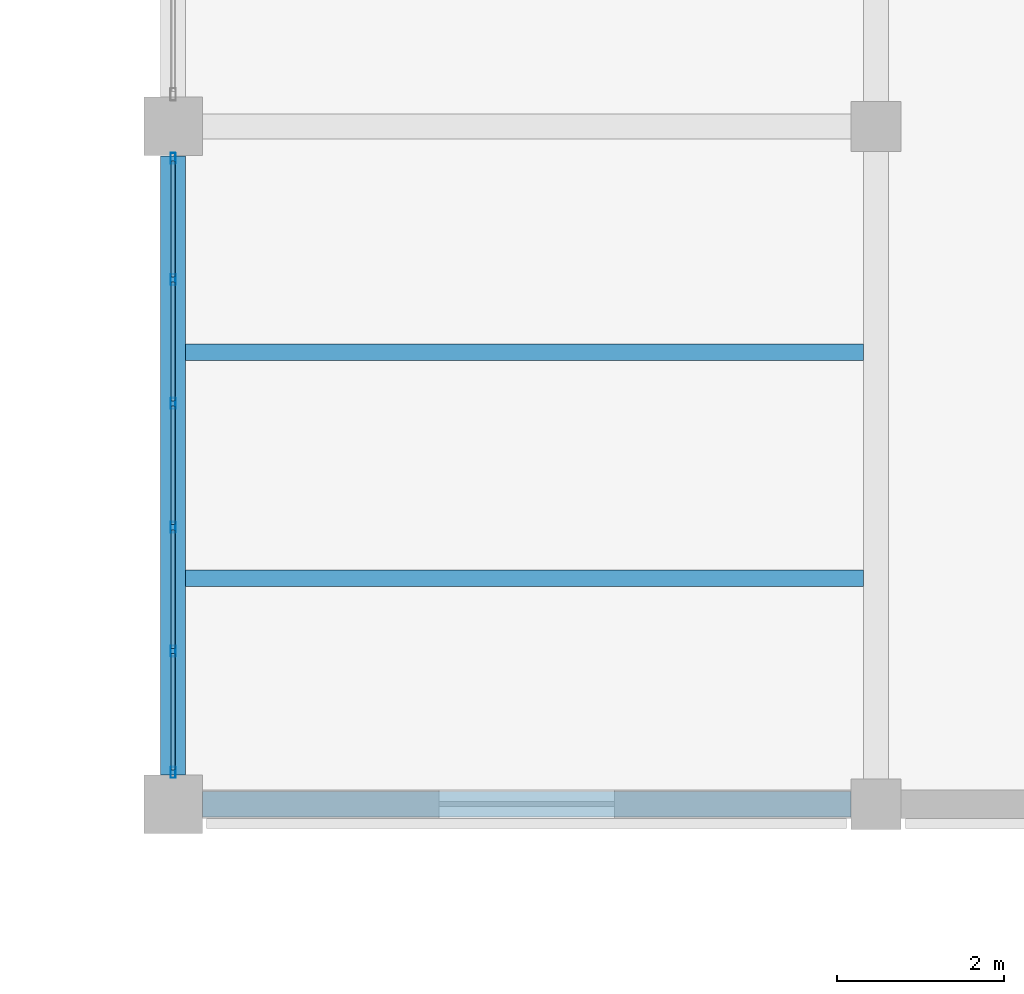
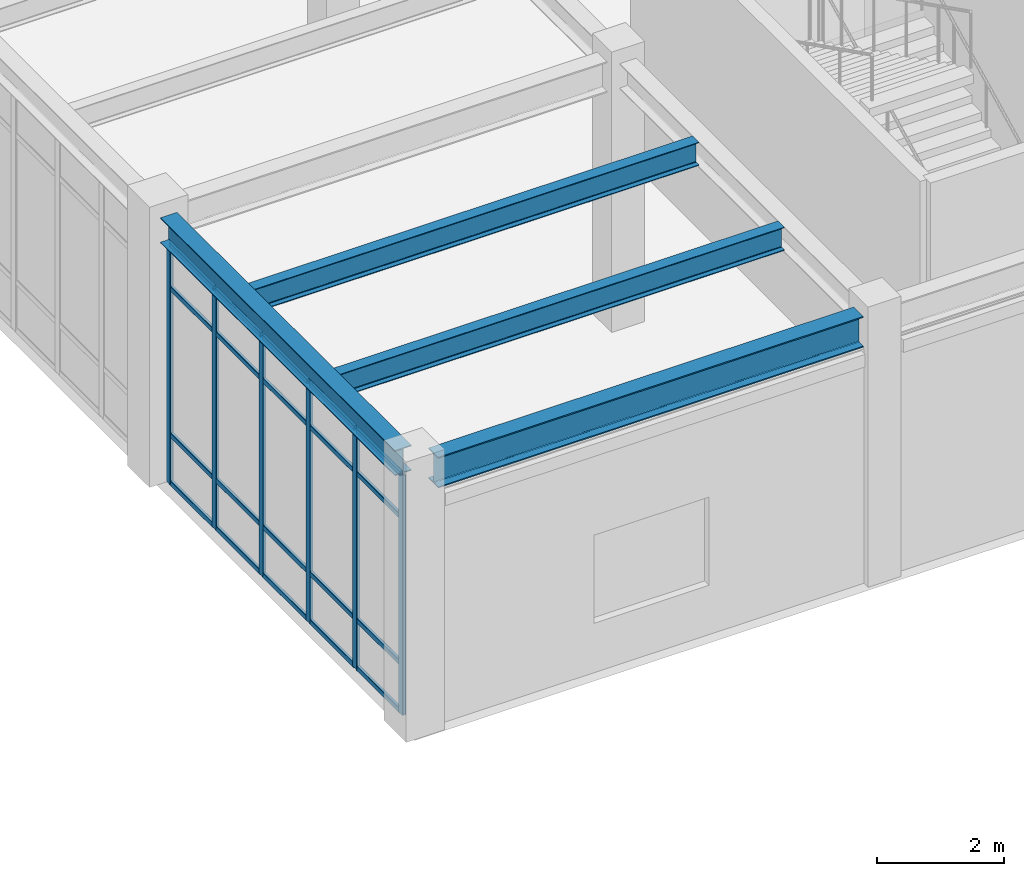
# One storey, part 32 of 80: 26 members, 4 beams, 1 element without a shape of its own.
"""IFC4 building model written with IfcOpenShell, lengths in metres."""

from ifc_helpers import new_model, si_unit, direction, frame, origin, origin_2d, place, context, subcontext, project, spatial, hollow_rectangle, i_section, extrude, material, material_profile, profile_set, type_object, element, aggregate, save


model = new_model("IFC4")

# Units and contexts
model_context = context("Model", 3, precision=1e-05, world=origin(), true_north=direction((0.0, 1.0)))
body_context = subcontext(model_context, "Body", "Model", "MODEL_VIEW")
ifc_project = project(units=[si_unit("LENGTHUNIT", "METRE"), si_unit("AREAUNIT", "SQUARE_METRE"), si_unit("VOLUMEUNIT", "CUBIC_METRE"), si_unit("PLANEANGLEUNIT", "RADIAN"), si_unit("MASSUNIT", "GRAM", prefix="KILO")], contexts=[model_context])

# Site, building, storey
site_placement = place(None, origin())
site = spatial("IfcSite", under=ifc_project, at=site_placement, CompositionType="ELEMENT")
building_placement = place(site_placement, origin())
building = spatial("IfcBuilding", under=site, at=building_placement, Name="Canglan Escarpment Cableway Terminal", CompositionType="ELEMENT")
storey_placement = place(building_placement, frame((0.0, 0.0, 19.199951171875)))
storey = spatial("IfcBuildingStorey", under=building, at=storey_placement, Name="L04", CompositionType="ELEMENT", Elevation=19.199951171875)

# Beams
ifc_material_1 = material(Name="Steel Q355B", Category="steel")
ifc_material_profile_1 = material_profile(ifc_material_1, i_section(OverallWidth=0.300048828125, OverallDepth=0.488037109375, WebThickness=0.010986328125, FlangeThickness=0.01806640625, FilletRadius=0.02587890625, at=origin_2d()), Name="HM 488x300x11x18")
ifc_profile_set_1 = profile_set([ifc_material_profile_1], Name="Steel Q355B")
beam_type_1 = type_object("IfcBeamType", Name="BM-HM488", PredefinedType="BEAM", material=ifc_profile_set_1)
beam_1_placement = place(storey_placement, frame((111.5, 89.25, 4.885986328125), z_axis=(0.0, 1.0, 0.0), x_axis=(-1.0, 0.0, 0.0)))
element("IfcBeam", 1, at=beam_1_placement, inside=storey, type_object=beam_type_1, Name="Primary transverse girder B-09", PredefinedType="BEAM", context=body_context, shape_type="SweptSolid", body=[
    extrude(i_section(OverallWidth=0.300048828125, OverallDepth=0.488037109375, WebThickness=0.010986328125, FlangeThickness=0.01806640625, FilletRadius=0.02587890625, at=origin_2d()), origin(), (0.0, 0.0, 1.0), 7.39990234375),
])
ifc_material_2 = material(Name="Steel Q355C", Category="steel")
ifc_material_profile_2 = material_profile(ifc_material_2, i_section(OverallWidth=0.302001953125, OverallDepth=0.593994140625, WebThickness=0.013916015625, FlangeThickness=0.02294921875, FilletRadius=0.028076171875, at=origin_2d()), Name="HM 594x302x14x23")
ifc_profile_set_2 = profile_set([ifc_material_profile_2], Name="Steel Q355C")
beam_type_2 = type_object("IfcBeamType", Name="BM-HM594", PredefinedType="BEAM", material=ifc_profile_set_2)
beam_2_placement = place(storey_placement, frame((111.85009765625, 88.89990234375, 4.8330078125), z_axis=(1.0, 0.0, 0.0), x_axis=(0.0, 1.0, 0.0)))
element("IfcBeam", 2, at=beam_2_placement, inside=storey, type_object=beam_type_2, Name="Primary structural girder B-07", PredefinedType="BEAM", context=body_context, shape_type="SweptSolid", body=[
    extrude(i_section(OverallWidth=0.302001953125, OverallDepth=0.593994140625, WebThickness=0.013916015625, FlangeThickness=0.02294921875, FilletRadius=0.028076171875, at=origin_2d()), origin(), (0.0, 0.0, 1.0), 7.75),
])

# Curtain wall, members
ifc_material_3 = material(Name="Anodized bronze aluminium and Low-E double glazing", Category="aluminium")
curtain_wall_type = type_object("IfcCurtainWallType", Name="CW-BAY-7400x4625", PredefinedType="NOTDEFINED", material=ifc_material_3)
curtain_wall_placement = place(storey_placement, origin())
curtain_wall = element("IfcCurtainWall", 3, at=curtain_wall_placement, inside=storey, type_object=curtain_wall_type, Name="Classical bay-between-piers glazed curtain wall CW-55", PredefinedType="NOTDEFINED")
ifc_material_4 = material(Name="Thermally broken anodized aluminium 6063-T6", Category="aluminium")
ifc_material_profile_3 = material_profile(ifc_material_4, hollow_rectangle(XDim=0.06005859375, YDim=0.1298828125, WallThickness=0.0029296875, InnerFilletRadius=0.0029296875, OuterFilletRadius=0.006103515625, at=origin_2d()), Name="ALU-MULL 60x130x3")
ifc_profile_set_3 = profile_set([ifc_material_profile_3], Name="Thermally broken anodized aluminium 6063-T6")
member_type_1 = type_object("IfcMemberType", Name="CWM-01", PredefinedType="MULLION", material=ifc_profile_set_3)
member_1_placement = place(storey_placement, frame((111.5, 96.6201171875, 0.0), z_axis=(0.0, 0.0, 1.0), x_axis=(1.0, 0.0, 0.0)))
member_1 = element("IfcMember", 4, at=member_1_placement, type_object=member_type_1, Name="CW-55 mullion 1", PredefinedType="MULLION", context=body_context, shape_type="SweptSolid", body=[
    extrude(hollow_rectangle(XDim=0.06005859375, YDim=0.1298828125, WallThickness=0.0029296875, InnerFilletRadius=0.0029296875, OuterFilletRadius=0.006103515625, at=origin_2d()), origin(), (0.0, 0.0, 1.0), 4.626953125),
])
member_2_placement = place(storey_placement, frame((111.5, 95.169921875, 0.0), z_axis=(0.0, 0.0, 1.0), x_axis=(1.0, 0.0, 0.0)))
member_2 = element("IfcMember", 5, at=member_2_placement, type_object=member_type_1, Name="CW-55 mullion 2", PredefinedType="MULLION", context=body_context, shape_type="SweptSolid", body=[
    extrude(hollow_rectangle(XDim=0.06005859375, YDim=0.1298828125, WallThickness=0.0029296875, InnerFilletRadius=0.0029296875, OuterFilletRadius=0.006103515625, at=origin_2d()), origin(), (0.0, 0.0, 1.0), 4.626953125),
])
member_3_placement = place(storey_placement, frame((111.5, 93.68994140625, 0.0), z_axis=(0.0, 0.0, 1.0), x_axis=(1.0, 0.0, 0.0)))
member_3 = element("IfcMember", 6, at=member_3_placement, type_object=member_type_1, Name="CW-55 mullion 3", PredefinedType="MULLION", context=body_context, shape_type="SweptSolid", body=[
    extrude(hollow_rectangle(XDim=0.06005859375, YDim=0.1298828125, WallThickness=0.0029296875, InnerFilletRadius=0.0029296875, OuterFilletRadius=0.006103515625, at=origin_2d()), origin(), (0.0, 0.0, 1.0), 4.626953125),
])
member_4_placement = place(storey_placement, frame((111.5, 92.2099609375, 0.0), z_axis=(0.0, 0.0, 1.0), x_axis=(1.0, 0.0, 0.0)))
member_4 = element("IfcMember", 7, at=member_4_placement, type_object=member_type_1, Name="CW-55 mullion 4", PredefinedType="MULLION", context=body_context, shape_type="SweptSolid", body=[
    extrude(hollow_rectangle(XDim=0.06005859375, YDim=0.1298828125, WallThickness=0.0029296875, InnerFilletRadius=0.0029296875, OuterFilletRadius=0.006103515625, at=origin_2d()), origin(), (0.0, 0.0, 1.0), 4.626953125),
])
member_5_placement = place(storey_placement, frame((111.5, 90.72998046875, 0.0), z_axis=(0.0, 0.0, 1.0), x_axis=(1.0, 0.0, 0.0)))
member_5 = element("IfcMember", 8, at=member_5_placement, type_object=member_type_1, Name="CW-55 mullion 5", PredefinedType="MULLION", context=body_context, shape_type="SweptSolid", body=[
    extrude(hollow_rectangle(XDim=0.06005859375, YDim=0.1298828125, WallThickness=0.0029296875, InnerFilletRadius=0.0029296875, OuterFilletRadius=0.006103515625, at=origin_2d()), origin(), (0.0, 0.0, 1.0), 4.626953125),
])
member_6_placement = place(storey_placement, frame((111.5, 89.280029296875, 0.0), z_axis=(0.0, 0.0, 1.0), x_axis=(1.0, 0.0, 0.0)))
member_6 = element("IfcMember", 9, at=member_6_placement, type_object=member_type_1, Name="CW-55 mullion 6", PredefinedType="MULLION", context=body_context, shape_type="SweptSolid", body=[
    extrude(hollow_rectangle(XDim=0.06005859375, YDim=0.1298828125, WallThickness=0.0029296875, InnerFilletRadius=0.0029296875, OuterFilletRadius=0.006103515625, at=origin_2d()), origin(), (0.0, 0.0, 1.0), 4.626953125),
])
ifc_material_profile_4 = material_profile(ifc_material_4, hollow_rectangle(XDim=0.054931640625, YDim=0.094970703125, WallThickness=0.0029296875, InnerFilletRadius=0.0029296875, OuterFilletRadius=0.006103515625, at=origin_2d()), Name="ALU-TRAN 55x95x3")
ifc_profile_set_4 = profile_set([ifc_material_profile_4], Name="Thermally broken anodized aluminium 6063-T6")
member_type_2 = type_object("IfcMemberType", Name="CWT-01", PredefinedType="USERDEFINED", material=ifc_profile_set_4)
member_7_placement = place(storey_placement, frame((111.5, 96.590087890625, 0.027587890625), z_axis=(0.0, -1.0, 0.0), x_axis=(1.0, 0.0, 0.0)))
member_7 = element("IfcMember", 10, at=member_7_placement, type_object=member_type_2, Name="CW-55 transom 1.1", ObjectType="TRANSOM", PredefinedType="USERDEFINED", context=body_context, shape_type="SweptSolid", body=[
    extrude(hollow_rectangle(XDim=0.054931640625, YDim=0.094970703125, WallThickness=0.0029296875, InnerFilletRadius=0.0029296875, OuterFilletRadius=0.006103515625, at=origin_2d()), origin(), (0.0, 0.0, 1.0), 1.39013671875),
])
member_8_placement = place(storey_placement, frame((111.5, 96.590087890625, 0.949951171875), z_axis=(0.0, -1.0, 0.0), x_axis=(1.0, 0.0, 0.0)))
member_8 = element("IfcMember", 11, at=member_8_placement, type_object=member_type_2, Name="CW-55 transom 1.2", ObjectType="TRANSOM", PredefinedType="USERDEFINED", context=body_context, shape_type="SweptSolid", body=[
    extrude(hollow_rectangle(XDim=0.054931640625, YDim=0.094970703125, WallThickness=0.0029296875, InnerFilletRadius=0.0029296875, OuterFilletRadius=0.006103515625, at=origin_2d()), origin(), (0.0, 0.0, 1.0), 1.39013671875),
])
member_9_placement = place(storey_placement, frame((111.5, 96.590087890625, 3.777099609375), z_axis=(0.0, -1.0, 0.0), x_axis=(1.0, 0.0, 0.0)))
member_9 = element("IfcMember", 12, at=member_9_placement, type_object=member_type_2, Name="CW-55 transom 1.3", ObjectType="TRANSOM", PredefinedType="USERDEFINED", context=body_context, shape_type="SweptSolid", body=[
    extrude(hollow_rectangle(XDim=0.054931640625, YDim=0.094970703125, WallThickness=0.0029296875, InnerFilletRadius=0.0029296875, OuterFilletRadius=0.006103515625, at=origin_2d()), origin(), (0.0, 0.0, 1.0), 1.39013671875),
])
member_10_placement = place(storey_placement, frame((111.5, 96.590087890625, 4.599609375), z_axis=(0.0, -1.0, 0.0), x_axis=(1.0, 0.0, 0.0)))
member_10 = element("IfcMember", 13, at=member_10_placement, type_object=member_type_2, Name="CW-55 transom 1.4", ObjectType="TRANSOM", PredefinedType="USERDEFINED", context=body_context, shape_type="SweptSolid", body=[
    extrude(hollow_rectangle(XDim=0.054931640625, YDim=0.094970703125, WallThickness=0.0029296875, InnerFilletRadius=0.0029296875, OuterFilletRadius=0.006103515625, at=origin_2d()), origin(), (0.0, 0.0, 1.0), 1.39013671875),
])
member_11_placement = place(storey_placement, frame((111.5, 95.139892578125, 0.027587890625), z_axis=(0.0, -1.0, 0.0), x_axis=(1.0, 0.0, 0.0)))
member_11 = element("IfcMember", 14, at=member_11_placement, type_object=member_type_2, Name="CW-55 transom 2.1", ObjectType="TRANSOM", PredefinedType="USERDEFINED", context=body_context, shape_type="SweptSolid", body=[
    extrude(hollow_rectangle(XDim=0.054931640625, YDim=0.094970703125, WallThickness=0.0029296875, InnerFilletRadius=0.0029296875, OuterFilletRadius=0.006103515625, at=origin_2d()), origin(), (0.0, 0.0, 1.0), 1.419921875),
])
member_12_placement = place(storey_placement, frame((111.5, 95.139892578125, 0.949951171875), z_axis=(0.0, -1.0, 0.0), x_axis=(1.0, 0.0, 0.0)))
member_12 = element("IfcMember", 15, at=member_12_placement, type_object=member_type_2, Name="CW-55 transom 2.2", ObjectType="TRANSOM", PredefinedType="USERDEFINED", context=body_context, shape_type="SweptSolid", body=[
    extrude(hollow_rectangle(XDim=0.054931640625, YDim=0.094970703125, WallThickness=0.0029296875, InnerFilletRadius=0.0029296875, OuterFilletRadius=0.006103515625, at=origin_2d()), origin(), (0.0, 0.0, 1.0), 1.419921875),
])
member_13_placement = place(storey_placement, frame((111.5, 95.139892578125, 3.777099609375), z_axis=(0.0, -1.0, 0.0), x_axis=(1.0, 0.0, 0.0)))
member_13 = element("IfcMember", 16, at=member_13_placement, type_object=member_type_2, Name="CW-55 transom 2.3", ObjectType="TRANSOM", PredefinedType="USERDEFINED", context=body_context, shape_type="SweptSolid", body=[
    extrude(hollow_rectangle(XDim=0.054931640625, YDim=0.094970703125, WallThickness=0.0029296875, InnerFilletRadius=0.0029296875, OuterFilletRadius=0.006103515625, at=origin_2d()), origin(), (0.0, 0.0, 1.0), 1.419921875),
])
member_14_placement = place(storey_placement, frame((111.5, 95.139892578125, 4.599609375), z_axis=(0.0, -1.0, 0.0), x_axis=(1.0, 0.0, 0.0)))
member_14 = element("IfcMember", 17, at=member_14_placement, type_object=member_type_2, Name="CW-55 transom 2.4", ObjectType="TRANSOM", PredefinedType="USERDEFINED", context=body_context, shape_type="SweptSolid", body=[
    extrude(hollow_rectangle(XDim=0.054931640625, YDim=0.094970703125, WallThickness=0.0029296875, InnerFilletRadius=0.0029296875, OuterFilletRadius=0.006103515625, at=origin_2d()), origin(), (0.0, 0.0, 1.0), 1.419921875),
])
member_15_placement = place(storey_placement, frame((111.5, 93.659912109375, 0.027587890625), z_axis=(0.0, -1.0, 0.0), x_axis=(1.0, 0.0, 0.0)))
member_15 = element("IfcMember", 18, at=member_15_placement, type_object=member_type_2, Name="CW-55 transom 3.1", ObjectType="TRANSOM", PredefinedType="USERDEFINED", context=body_context, shape_type="SweptSolid", body=[
    extrude(hollow_rectangle(XDim=0.054931640625, YDim=0.094970703125, WallThickness=0.0029296875, InnerFilletRadius=0.0029296875, OuterFilletRadius=0.006103515625, at=origin_2d()), origin(), (0.0, 0.0, 1.0), 1.419921875),
])
member_16_placement = place(storey_placement, frame((111.5, 93.659912109375, 0.949951171875), z_axis=(0.0, -1.0, 0.0), x_axis=(1.0, 0.0, 0.0)))
member_16 = element("IfcMember", 19, at=member_16_placement, type_object=member_type_2, Name="CW-55 transom 3.2", ObjectType="TRANSOM", PredefinedType="USERDEFINED", context=body_context, shape_type="SweptSolid", body=[
    extrude(hollow_rectangle(XDim=0.054931640625, YDim=0.094970703125, WallThickness=0.0029296875, InnerFilletRadius=0.0029296875, OuterFilletRadius=0.006103515625, at=origin_2d()), origin(), (0.0, 0.0, 1.0), 1.419921875),
])
member_17_placement = place(storey_placement, frame((111.5, 93.659912109375, 3.777099609375), z_axis=(0.0, -1.0, 0.0), x_axis=(1.0, 0.0, 0.0)))
member_17 = element("IfcMember", 20, at=member_17_placement, type_object=member_type_2, Name="CW-55 transom 3.3", ObjectType="TRANSOM", PredefinedType="USERDEFINED", context=body_context, shape_type="SweptSolid", body=[
    extrude(hollow_rectangle(XDim=0.054931640625, YDim=0.094970703125, WallThickness=0.0029296875, InnerFilletRadius=0.0029296875, OuterFilletRadius=0.006103515625, at=origin_2d()), origin(), (0.0, 0.0, 1.0), 1.419921875),
])
member_18_placement = place(storey_placement, frame((111.5, 93.659912109375, 4.599609375), z_axis=(0.0, -1.0, 0.0), x_axis=(1.0, 0.0, 0.0)))
member_18 = element("IfcMember", 21, at=member_18_placement, type_object=member_type_2, Name="CW-55 transom 3.4", ObjectType="TRANSOM", PredefinedType="USERDEFINED", context=body_context, shape_type="SweptSolid", body=[
    extrude(hollow_rectangle(XDim=0.054931640625, YDim=0.094970703125, WallThickness=0.0029296875, InnerFilletRadius=0.0029296875, OuterFilletRadius=0.006103515625, at=origin_2d()), origin(), (0.0, 0.0, 1.0), 1.419921875),
])
member_19_placement = place(storey_placement, frame((111.5, 92.179931640625, 0.027587890625), z_axis=(0.0, -1.0, 0.0), x_axis=(1.0, 0.0, 0.0)))
member_19 = element("IfcMember", 22, at=member_19_placement, type_object=member_type_2, Name="CW-55 transom 4.1", ObjectType="TRANSOM", PredefinedType="USERDEFINED", context=body_context, shape_type="SweptSolid", body=[
    extrude(hollow_rectangle(XDim=0.054931640625, YDim=0.094970703125, WallThickness=0.0029296875, InnerFilletRadius=0.0029296875, OuterFilletRadius=0.006103515625, at=origin_2d()), origin(), (0.0, 0.0, 1.0), 1.419921875),
])
member_20_placement = place(storey_placement, frame((111.5, 92.179931640625, 0.949951171875), z_axis=(0.0, -1.0, 0.0), x_axis=(1.0, 0.0, 0.0)))
member_20 = element("IfcMember", 23, at=member_20_placement, type_object=member_type_2, Name="CW-55 transom 4.2", ObjectType="TRANSOM", PredefinedType="USERDEFINED", context=body_context, shape_type="SweptSolid", body=[
    extrude(hollow_rectangle(XDim=0.054931640625, YDim=0.094970703125, WallThickness=0.0029296875, InnerFilletRadius=0.0029296875, OuterFilletRadius=0.006103515625, at=origin_2d()), origin(), (0.0, 0.0, 1.0), 1.419921875),
])
member_21_placement = place(storey_placement, frame((111.5, 92.179931640625, 3.777099609375), z_axis=(0.0, -1.0, 0.0), x_axis=(1.0, 0.0, 0.0)))
member_21 = element("IfcMember", 24, at=member_21_placement, type_object=member_type_2, Name="CW-55 transom 4.3", ObjectType="TRANSOM", PredefinedType="USERDEFINED", context=body_context, shape_type="SweptSolid", body=[
    extrude(hollow_rectangle(XDim=0.054931640625, YDim=0.094970703125, WallThickness=0.0029296875, InnerFilletRadius=0.0029296875, OuterFilletRadius=0.006103515625, at=origin_2d()), origin(), (0.0, 0.0, 1.0), 1.419921875),
])
member_22_placement = place(storey_placement, frame((111.5, 92.179931640625, 4.599609375), z_axis=(0.0, -1.0, 0.0), x_axis=(1.0, 0.0, 0.0)))
member_22 = element("IfcMember", 25, at=member_22_placement, type_object=member_type_2, Name="CW-55 transom 4.4", ObjectType="TRANSOM", PredefinedType="USERDEFINED", context=body_context, shape_type="SweptSolid", body=[
    extrude(hollow_rectangle(XDim=0.054931640625, YDim=0.094970703125, WallThickness=0.0029296875, InnerFilletRadius=0.0029296875, OuterFilletRadius=0.006103515625, at=origin_2d()), origin(), (0.0, 0.0, 1.0), 1.419921875),
])
member_23_placement = place(storey_placement, frame((111.5, 90.699951171875, 0.027587890625), z_axis=(0.0, -1.0, 0.0), x_axis=(1.0, 0.0, 0.0)))
member_23 = element("IfcMember", 26, at=member_23_placement, type_object=member_type_2, Name="CW-55 transom 5.1", ObjectType="TRANSOM", PredefinedType="USERDEFINED", context=body_context, shape_type="SweptSolid", body=[
    extrude(hollow_rectangle(XDim=0.054931640625, YDim=0.094970703125, WallThickness=0.0029296875, InnerFilletRadius=0.0029296875, OuterFilletRadius=0.006103515625, at=origin_2d()), origin(), (0.0, 0.0, 1.0), 1.389892578125),
])
member_24_placement = place(storey_placement, frame((111.5, 90.699951171875, 0.949951171875), z_axis=(0.0, -1.0, 0.0), x_axis=(1.0, 0.0, 0.0)))
member_24 = element("IfcMember", 27, at=member_24_placement, type_object=member_type_2, Name="CW-55 transom 5.2", ObjectType="TRANSOM", PredefinedType="USERDEFINED", context=body_context, shape_type="SweptSolid", body=[
    extrude(hollow_rectangle(XDim=0.054931640625, YDim=0.094970703125, WallThickness=0.0029296875, InnerFilletRadius=0.0029296875, OuterFilletRadius=0.006103515625, at=origin_2d()), origin(), (0.0, 0.0, 1.0), 1.389892578125),
])
member_25_placement = place(storey_placement, frame((111.5, 90.699951171875, 3.777099609375), z_axis=(0.0, -1.0, 0.0), x_axis=(1.0, 0.0, 0.0)))
member_25 = element("IfcMember", 28, at=member_25_placement, type_object=member_type_2, Name="CW-55 transom 5.3", ObjectType="TRANSOM", PredefinedType="USERDEFINED", context=body_context, shape_type="SweptSolid", body=[
    extrude(hollow_rectangle(XDim=0.054931640625, YDim=0.094970703125, WallThickness=0.0029296875, InnerFilletRadius=0.0029296875, OuterFilletRadius=0.006103515625, at=origin_2d()), origin(), (0.0, 0.0, 1.0), 1.389892578125),
])
member_26_placement = place(storey_placement, frame((111.5, 90.699951171875, 4.599609375), z_axis=(0.0, -1.0, 0.0), x_axis=(1.0, 0.0, 0.0)))
member_26 = element("IfcMember", 29, at=member_26_placement, type_object=member_type_2, Name="CW-55 transom 5.4", ObjectType="TRANSOM", PredefinedType="USERDEFINED", context=body_context, shape_type="SweptSolid", body=[
    extrude(hollow_rectangle(XDim=0.054931640625, YDim=0.094970703125, WallThickness=0.0029296875, InnerFilletRadius=0.0029296875, OuterFilletRadius=0.006103515625, at=origin_2d()), origin(), (0.0, 0.0, 1.0), 1.389892578125),
])
aggregate(curtain_wall, [member_1, member_2, member_3, member_4, member_5, member_6, member_7, member_8, member_9, member_10, member_11, member_12, member_13, member_14, member_15, member_16, member_17, member_18, member_19, member_20, member_21, member_22, member_23, member_24, member_25, member_26])

# Beams
ifc_material_profile_5 = material_profile(ifc_material_1, i_section(OverallWidth=0.199951171875, OverallDepth=0.449951171875, WebThickness=0.009033203125, FlangeThickness=0.013916015625, FilletRadius=0.01806640625, at=origin_2d()), Name="HN 450x200x9x14")
ifc_profile_set_5 = profile_set([ifc_material_profile_5], Name="Steel Q355B")
beam_type_3 = type_object("IfcBeamType", Name="JS-HN450", PredefinedType="JOIST", material=ifc_profile_set_5)
for number, where, z_axis, x_axis, name in (
    (30, (111.64990234375, 91.60009765625, 4.905029296875), (1.0, 0.0, 0.0), (0.0, 1.0, 0.0), "Secondary composite deck joist J-02"),
    (31, (111.64990234375, 94.300048828125, 4.905029296875), (1.0, 0.0, 0.0), (0.0, 1.0, 0.0), "Secondary composite deck joist J-02"),
):
    element("IfcBeam", number, at=place(storey_placement, frame(where, z_axis=z_axis, x_axis=x_axis)), inside=storey, type_object=beam_type_3, Name=name, PredefinedType="JOIST", context=body_context, shape_type="SweptSolid", body=[
        extrude(i_section(OverallWidth=0.199951171875, OverallDepth=0.449951171875, WebThickness=0.009033203125, FlangeThickness=0.013916015625, FilletRadius=0.01806640625, at=origin_2d()), origin(), (0.0, 0.0, 1.0), 8.10009765625),
    ])

save(model, "model.ifc")
